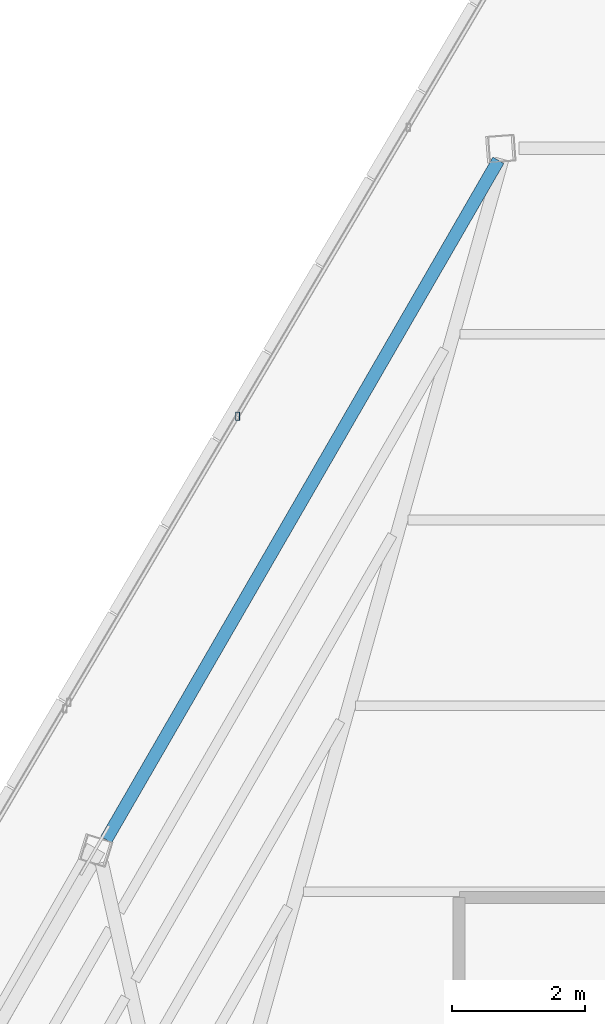
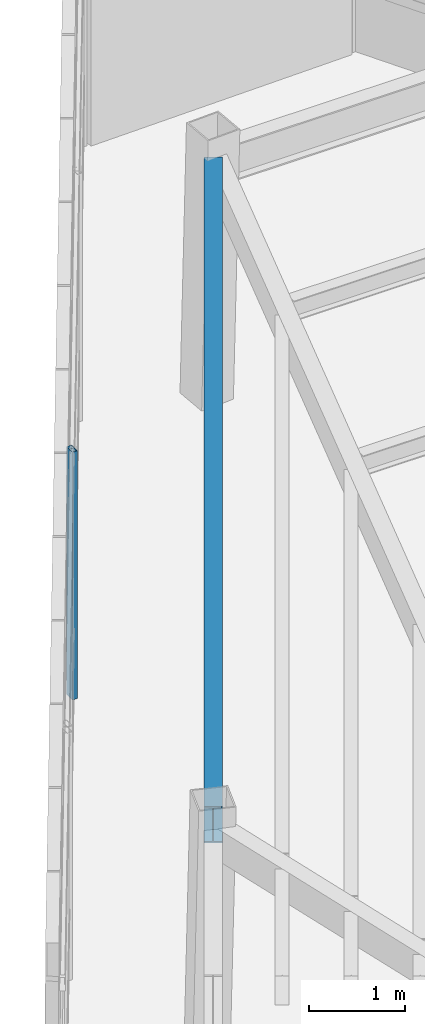
# One storey, part 32 of 44: 1 beam, 1 member, 1 element without a shape of its own.
"""IFC4 building model written with IfcOpenShell, lengths in metres."""

from ifc_helpers import new_model, si_unit, direction, frame, origin, origin_2d, place, context, subcontext, project, spatial, hollow_rectangle, i_section, extrude, source, transform, mapped, material, material_profile, profile_set, type_object, type_shapes, element, aggregate, save


model = new_model("IFC4")

# Units and contexts
model_context = context("Model", 3, precision=1e-05, world=origin(), true_north=direction((0.0, 1.0)))
body_context = subcontext(model_context, "Body", "Model", "MODEL_VIEW")
ifc_project = project(units=[si_unit("LENGTHUNIT", "METRE"), si_unit("AREAUNIT", "SQUARE_METRE"), si_unit("VOLUMEUNIT", "CUBIC_METRE"), si_unit("PLANEANGLEUNIT", "RADIAN"), si_unit("MASSUNIT", "GRAM", prefix="KILO")], contexts=[model_context])

# Site, building, storey
site_placement = place(None, origin())
site = spatial("IfcSite", under=ifc_project, at=site_placement, CompositionType="ELEMENT")
building_placement = place(site_placement, origin())
building = spatial("IfcBuilding", under=site, at=building_placement, Name="Caelisora Broadcast Tower", CompositionType="ELEMENT")
storey_placement = place(building_placement, frame((0.0, 0.0, 296.60009765625)))
storey = spatial("IfcBuildingStorey", under=building, at=storey_placement, Name="L78", CompositionType="ELEMENT", Elevation=296.60009765625)

# Beam
ifc_material_1 = material(Name="Steel Grade 350 (AS/NZS 3679.1)", Category="steel")
ifc_material_profile_1 = material_profile(ifc_material_1, i_section(OverallWidth=0.19091796875, OverallDepth=0.46044921875, WebThickness=0.010009765625, FlangeThickness=0.01611328125, at=origin_2d()), Name="Steel Grade 350 (AS/NZS 3679.1)")
ifc_profile_set_1 = profile_set([ifc_material_profile_1], Name="Steel Grade 350 (AS/NZS 3679.1)")
beam_type = type_object("IfcBeamType", Name="PG06", PredefinedType="BEAM", material=ifc_profile_set_1)
shared_shape_1 = source(origin(), body_context, "Body", "SweptSolid", [
    extrude(i_section(OverallWidth=0.19091796875, OverallDepth=0.46044921875, WebThickness=0.010009765625, FlangeThickness=0.01611328125, at=origin_2d()), origin(), (0.0, 0.0, 1.0), 11.78466796875),
])
type_shapes(beam_type, [shared_shape_1])
beam_placement = place(storey_placement, frame((35.091552734375, 46.5712890625, 2.919677734375), z_axis=(-0.500000414809, -0.866025164294, 0.0), x_axis=(0.866025164294, -0.500000414809, 0.0)))
element("IfcBeam", 1, at=beam_placement, inside=storey, type_object=beam_type, Name="L78 beam PG06", PredefinedType="BEAM", context=body_context, shape_type="MappedRepresentation", body=[
    mapped(shared_shape_1, transform((0.0, 0.0, 0.0), scale=1.0)),
])

# Curtain wall, member
ifc_material_2 = material(Name="Unitised Aluminium Insulated Shadow-Box Spandrel Curtain Wall", Category="aluminium")
curtain_wall_type = type_object("IfcCurtainWallType", Name="CW-SP3", PredefinedType="NOTDEFINED", material=ifc_material_2)
curtain_wall_placement = place(storey_placement, origin())
curtain_wall = element("IfcCurtainWall", 2, at=curtain_wall_placement, inside=storey, type_object=curtain_wall_type, Name="L78 curtain wall CW-SP3", PredefinedType="NOTDEFINED")
ifc_material_3 = material(Name="Aluminium 6063-T6 Anodised Terracotta Bronze", Category="aluminium")
ifc_material_profile_2 = material_profile(ifc_material_3, hollow_rectangle(XDim=0.06005859375, YDim=0.1201171875, WallThickness=0.0029296875, at=origin_2d()), Name="Aluminium 6063-T6 Anodised Terracotta Bronze")
ifc_profile_set_2 = profile_set([ifc_material_profile_2], Name="Aluminium 6063-T6 Anodised Terracotta Bronze")
member_type = type_object("IfcMemberType", Name="CWM-04", PredefinedType="MULLION", material=ifc_profile_set_2)
shared_shape_2 = source(origin(), body_context, "Body", "SweptSolid", [
    extrude(hollow_rectangle(XDim=0.06005859375, YDim=0.1201171875, WallThickness=0.0029296875, at=origin_2d()), origin(), (0.0, 0.0, 1.0), 3.14990234375),
])
type_shapes(member_type, [shared_shape_2])
member_placement = place(storey_placement, frame((31.1748046875, 42.726806640625, 0.0), z_axis=(0.0, 0.0, 1.0), x_axis=(1.0, 0.0, 0.0)))
member = element("IfcMember", 3, at=member_placement, type_object=member_type, Name="L78-CW-B11 mullion #1", PredefinedType="MULLION", context=body_context, shape_type="MappedRepresentation", body=[
    mapped(shared_shape_2, transform((0.0, 0.0, 0.0), scale=1.0)),
])
aggregate(curtain_wall, [member])

save(model, "model.ifc")
